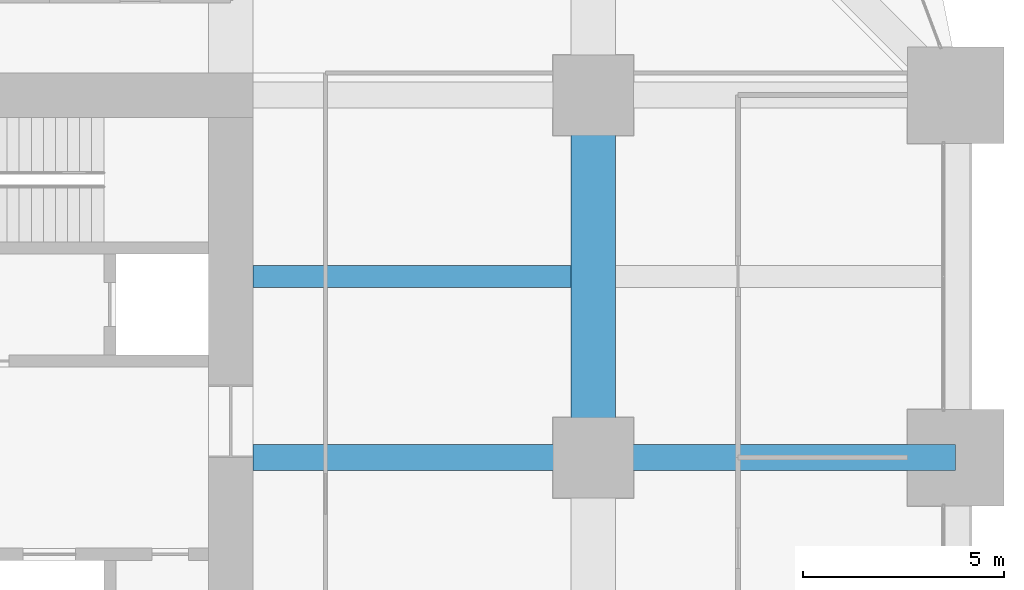
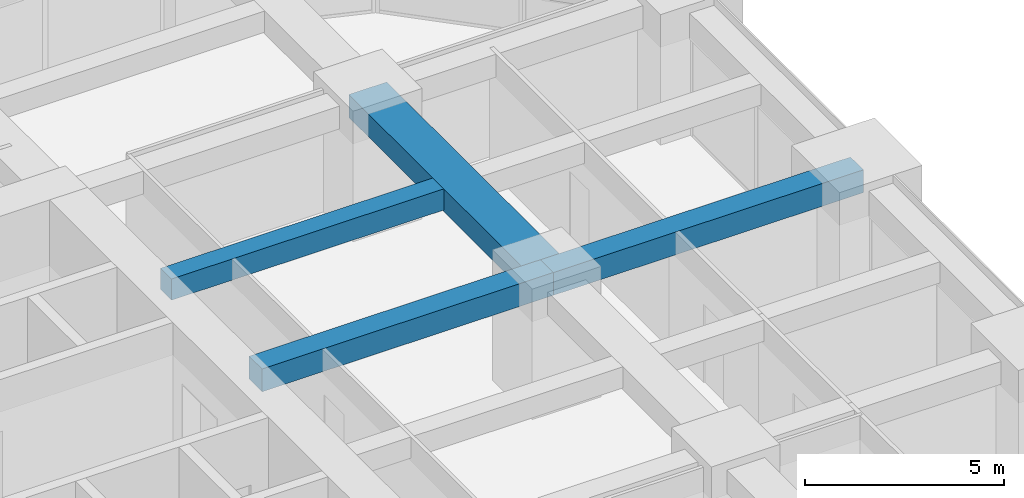
# One storey, part 22 of 41: 4 beams.
"""IFC4 building model written with IfcOpenShell, lengths in metres."""

import ifcopenshell
import ifcopenshell.guid

model = None  # the IFC model being written
_history = None  # IfcOwnerHistory: only IFC2X3 demands one
_inside = {}  # id of a spatial element -> (the spatial element, [elements in it])
_under = {}  # id of a project, library or spatial element -> (it, [spatial elements below it])
_declared = {}  # id of a project -> (the project, [libraries it declares])
_typed = {}  # id of a type object -> (the type object, [elements of that type])
_made_of = {}  # id of a material, layer set ... -> (it, [elements and type objects made of it])


def new_model(schema):
    """Start an empty IFC model of exactly this schema.

    Asked for "IFC4X3", IfcOpenShell would pick the latest addendum, in which some entities
    have other attributes; the version numbers below select the first issue.
    IFC2X3 requires an IfcOwnerHistory on every rooted entity: one is made here for all.
    """
    global model, _history
    if schema == "IFC4X3":
        model = ifcopenshell.file(schema_version=(4, 3, 0, 0))
    else:
        model = ifcopenshell.file(schema=schema)
    _inside.clear()
    _under.clear()
    _declared.clear()
    _typed.clear()
    _made_of.clear()
    _history = None
    if model.schema == "IFC2X3":
        org = make("IfcOrganization", Name="unknown")
        user = make(
            "IfcPersonAndOrganization",
            ThePerson=make("IfcPerson", FamilyName="unknown"),
            TheOrganization=org,
        )
        app = make(
            "IfcApplication",
            ApplicationDeveloper=org,
            Version="unknown",
            ApplicationFullName="unknown",
            ApplicationIdentifier="unknown",
        )
        _history = make(
            "IfcOwnerHistory",
            OwningUser=user,
            OwningApplication=app,
            ChangeAction="ADDED",
            CreationDate=0,
        )
    return model


def make(cls, **values):
    """One entity of the class cls with the attributes given. An attribute that is None is left unset."""
    return model.create_entity(
        cls, **{name: value for name, value in values.items() if value is not None}
    )


def rooted(cls, **values):
    """An entity with a GlobalId (a new one), such as an element, a storey or a relation."""
    return make(cls, GlobalId=ifcopenshell.guid.new(), OwnerHistory=_history, **values)


def si_unit(unit_type, name, prefix=None):
    """IfcSIUnit, for example si_unit("LENGTHUNIT", "METRE", prefix="MILLI")."""
    return make("IfcSIUnit", UnitType=unit_type, Prefix=prefix, Name=name)


def assignment(units):
    """IfcUnitAssignment: the units of a project."""
    return None if units is None else make("IfcUnitAssignment", Units=units)


def point(xyz):
    """IfcCartesianPoint."""
    return None if xyz is None else make("IfcCartesianPoint", Coordinates=xyz)


def direction(xyz):
    """IfcDirection."""
    return None if xyz is None else make("IfcDirection", DirectionRatios=xyz)


def frame(location, z_axis=None, x_axis=None):
    """IfcAxis2Placement3D, a coordinate frame: its origin and axes. An axis left out is left unset."""
    return make(
        "IfcAxis2Placement3D",
        Location=point(location),
        Axis=direction(z_axis),
        RefDirection=direction(x_axis),
    )


def frame_2d(location, x_axis=None):
    """IfcAxis2Placement2D, a coordinate frame in the plane: its origin and x axis."""
    return make(
        "IfcAxis2Placement2D", Location=point(location), RefDirection=direction(x_axis)
    )


def origin():
    """The frame at (0, 0, 0) with its axes left unset."""
    return frame((0.0, 0.0, 0.0))


def origin_2d():
    """The frame at (0, 0) in the plane with its x axis left unset."""
    return frame_2d((0.0, 0.0))


def place(relative_to, where):
    """IfcLocalPlacement: puts the frame where relative to a parent placement (None: the world)."""
    return make(
        "IfcLocalPlacement", PlacementRelTo=relative_to, RelativePlacement=where
    )


def context(
    kind, dimensions, precision=None, world=None, true_north=None, identifier=None
):
    """IfcGeometricRepresentationContext, for example the 3D "Model" context."""
    return make(
        "IfcGeometricRepresentationContext",
        ContextIdentifier=identifier,
        ContextType=kind,
        CoordinateSpaceDimension=dimensions,
        Precision=precision,
        WorldCoordinateSystem=world,
        TrueNorth=true_north,
    )


def subcontext(parent, identifier, kind, view, scale=None):
    """IfcGeometricRepresentationSubContext, for example "Body" below "Model"."""
    return make(
        "IfcGeometricRepresentationSubContext",
        ContextIdentifier=identifier,
        ContextType=kind,
        ParentContext=parent,
        TargetScale=scale,
        TargetView=view,
    )


def project(units=None, contexts=None):
    """IfcProject with its units and contexts."""
    return rooted(
        "IfcProject",
        Name="project",
        RepresentationContexts=contexts,
        UnitsInContext=assignment(units),
    )


def spatial(cls, under=None, at=None, **own):
    """A site, building, storey or space (cls), placed at a placement, below another one or the project."""
    s = rooted(cls, ObjectPlacement=at, **own)
    if under is not None:
        _under.setdefault(under.id(), (under, []))[1].append(s)
    return s


def profile(cls, at=None, kind="AREA", **sizes):
    """A parametric profile (cls). Its sizes go by their IFC names, for example OverallWidth=200.0."""
    return make(cls, ProfileType=kind, Position=at, **sizes)


def rectangle(**sizes):
    """IfcRectangleProfileDef."""
    return profile("IfcRectangleProfileDef", **sizes)


def extrude(swept, where, along, depth):
    """IfcExtrudedAreaSolid: the profile swept, set in the frame where, extruded along a direction by depth."""
    return make(
        "IfcExtrudedAreaSolid",
        SweptArea=swept,
        Position=where,
        ExtrudedDirection=direction(along),
        Depth=depth,
    )


def shape(context_of_items, identifier, shape_type, items):
    """IfcShapeRepresentation: the items that make up one representation, for example the "Body"."""
    return make(
        "IfcShapeRepresentation",
        ContextOfItems=context_of_items,
        RepresentationIdentifier=identifier,
        RepresentationType=shape_type,
        Items=items,
    )


def material(Name=None, Category=None):
    """IfcMaterial."""
    return make("IfcMaterial", Name=Name, Category=Category)


def material_profile(
    of_material, cross_section, Name=None, Category=None, Priority=None
):
    """IfcMaterialProfile: a cross section and its material."""
    return make(
        "IfcMaterialProfile",
        Name=Name,
        Material=of_material,
        Profile=cross_section,
        Priority=Priority,
        Category=Category,
    )


def profile_set(profiles, Name=None, composite=None):
    """IfcMaterialProfileSet."""
    return make(
        "IfcMaterialProfileSet",
        Name=Name,
        MaterialProfiles=profiles,
        CompositeProfile=composite,
    )


def made_of(thing, what):
    """Note that an element or type object is made of a material, layer set ...; save() writes the relation."""
    if what is not None:
        _made_of.setdefault(what.id(), (what, []))[1].append(thing)
    return thing


def type_object(cls, material=None, **own):
    """A type object (cls), such as IfcWallType, which elements share."""
    return made_of(rooted(cls, **own), material)


def element(
    cls,
    number,
    at=None,
    inside=None,
    cuts=None,
    type_object=None,
    material=None,
    context=None,
    identifier="Body",
    shape_type=None,
    held_by="IfcProductDefinitionShape",
    body=None,
    shapes=None,
    **own,
):
    """One element of the class cls, such as IfcWall. Its Tag is "e" and its number.

    at: its placement. inside: the storey or other place that contains it. cuts: it is an
    opening in that element (IfcRelVoidsElement). A single representation is given by context,
    identifier, shape_type and body (its items); several are given by shapes. held_by: the class
    of the entity that holds the representations. save() writes the other relations.
    """
    e = rooted(cls, Tag="e%d" % number, ObjectPlacement=at, **own)
    if body is not None:
        shapes = [shape(context, identifier, shape_type, body)]
    if shapes is not None:
        e.Representation = make(held_by, Representations=shapes)
    if inside is not None:
        _inside.setdefault(inside.id(), (inside, []))[1].append(e)
    if cuts is not None:
        rooted(
            "IfcRelVoidsElement", RelatingBuildingElement=cuts, RelatedOpeningElement=e
        )
    if type_object is not None:
        _typed.setdefault(type_object.id(), (type_object, []))[1].append(e)
    return made_of(e, material)


def aggregate(whole, parts):
    """IfcRelAggregates: a whole, such as a stair, and the parts it consists of."""
    return rooted("IfcRelAggregates", RelatingObject=whole, RelatedObjects=parts)


def save(model, path):
    """Write the relations noted so far, then the file.

    IfcRelAggregates (storeys below a building ...), IfcRelContainedInSpatialStructure (elements
    in a storey), IfcRelDefinesByType, IfcRelAssociatesMaterial and IfcRelDeclares: one each for
    every whole, place, type object, material and project.
    """
    for whole, parts in _under.values():
        aggregate(whole, parts)
    for where, things in _inside.values():
        rooted(
            "IfcRelContainedInSpatialStructure",
            RelatedElements=things,
            RelatingStructure=where,
        )
    for kind, things in _typed.values():
        rooted("IfcRelDefinesByType", RelatedObjects=things, RelatingType=kind)
    for what, things in _made_of.values():
        rooted("IfcRelAssociatesMaterial", RelatedObjects=things, RelatingMaterial=what)
    for by, libraries in _declared.values():
        rooted("IfcRelDeclares", RelatingContext=by, RelatedDefinitions=libraries)
    model.write(path)


model = new_model("IFC4")

# Units and contexts
model_context = context("Model", 3, precision=1e-05, world=origin(), true_north=direction((0.0, 1.0)))
body_context = subcontext(model_context, "Body", "Model", "MODEL_VIEW")
ifc_project = project(units=[si_unit("LENGTHUNIT", "METRE"), si_unit("AREAUNIT", "SQUARE_METRE"), si_unit("VOLUMEUNIT", "CUBIC_METRE"), si_unit("PLANEANGLEUNIT", "RADIAN"), si_unit("MASSUNIT", "GRAM", prefix="KILO")], contexts=[model_context])

# Site, building, storey
site_placement = place(None, origin())
site = spatial("IfcSite", under=ifc_project, at=site_placement, CompositionType="ELEMENT")
building_placement = place(site_placement, origin())
building = spatial("IfcBuilding", under=site, at=building_placement, Name="Zorevar Civic Tower", CompositionType="ELEMENT")
storey_placement = place(building_placement, frame((0.0, 0.0, 113.0)))
storey = spatial("IfcBuildingStorey", under=building, at=storey_placement, Name="L27", CompositionType="ELEMENT", Elevation=113.0)

# Beams
ifc_material_1 = material(Name="Concrete C50/60", Category="concrete")
ifc_material_profile_1 = material_profile(ifc_material_1, rectangle(XDim=1.10009765625, YDim=0.699951171875, at=origin_2d()), Name="RC 1100x700")
ifc_profile_set_1 = profile_set([ifc_material_profile_1], Name="Concrete C50/60")
beam_type_1 = type_object("IfcBeamType", Name="Beam RC 1100x700", PredefinedType="BEAM", material=ifc_profile_set_1)
beam_1_placement = place(storey_placement, frame((54.0, 27.0, 3.39990234375), z_axis=(0.0, 1.0, 0.0), x_axis=(-1.0, 0.0, 0.0)))
element("IfcBeam", 1, at=beam_1_placement, inside=storey, type_object=beam_type_1, Name="Girder L28", PredefinedType="BEAM", context=body_context, shape_type="SweptSolid", body=[
    extrude(rectangle(XDim=1.10009765625, YDim=0.699951171875, at=origin_2d()), origin(), (0.0, 0.0, 1.0), 9.0),
])
ifc_material_2 = material(Name="Concrete C50/60", Category="concrete")
ifc_material_profile_2 = material_profile(ifc_material_2, rectangle(XDim=0.550048828125, YDim=0.64990234375, at=origin_2d()), Name="RC 550x650")
ifc_profile_set_2 = profile_set([ifc_material_profile_2], Name="Concrete C50/60")
beam_type_2 = type_object("IfcBeamType", Name="Beam RC 550x650", PredefinedType="BEAM", material=ifc_profile_set_2)
beam_2_placement = place(storey_placement, frame((45.550048828125, 31.5, 3.425048828125), z_axis=(1.0, 0.0, 0.0), x_axis=(0.0, 1.0, 0.0)))
element("IfcBeam", 2, at=beam_2_placement, inside=storey, type_object=beam_type_2, Name="Secondary beam L28", PredefinedType="BEAM", context=body_context, shape_type="SweptSolid", body=[
    extrude(rectangle(XDim=0.550048828125, YDim=0.64990234375, at=origin_2d()), origin(), (0.0, 0.0, 1.0), 7.89990234375),
])
ifc_material_3 = material(Name="Concrete C50/60", Category="concrete")
ifc_material_profile_3 = material_profile(ifc_material_3, rectangle(XDim=0.64990234375, YDim=0.699951171875, at=origin_2d()), Name="RC 650x700")
ifc_profile_set_3 = profile_set([ifc_material_profile_3], Name="Concrete C50/60")
beam_type_3 = type_object("IfcBeamType", Name="Beam RC 650x700", PredefinedType="BEAM", material=ifc_profile_set_3)
beam_3_placement = place(storey_placement, frame((45.550048828125, 27.0, 3.39990234375), z_axis=(1.0, 0.0, 0.0), x_axis=(0.0, 1.0, 0.0)))
element("IfcBeam", 3, at=beam_3_placement, inside=storey, type_object=beam_type_3, Name="Girder L28", PredefinedType="BEAM", context=body_context, shape_type="SweptSolid", body=[
    extrude(rectangle(XDim=0.64990234375, YDim=0.699951171875, at=origin_2d()), origin(), (0.0, 0.0, 1.0), 8.449951171875),
])
beam_4_placement = place(storey_placement, frame((54.0, 27.0, 3.39990234375), z_axis=(1.0, 0.0, 0.0), x_axis=(0.0, 1.0, 0.0)))
element("IfcBeam", 4, at=beam_4_placement, inside=storey, type_object=beam_type_3, Name="Girder L28", PredefinedType="BEAM", context=body_context, shape_type="SweptSolid", body=[
    extrude(rectangle(XDim=0.64990234375, YDim=0.699951171875, at=origin_2d()), origin(), (0.0, 0.0, 1.0), 9.0),
])

save(model, "model.ifc")
